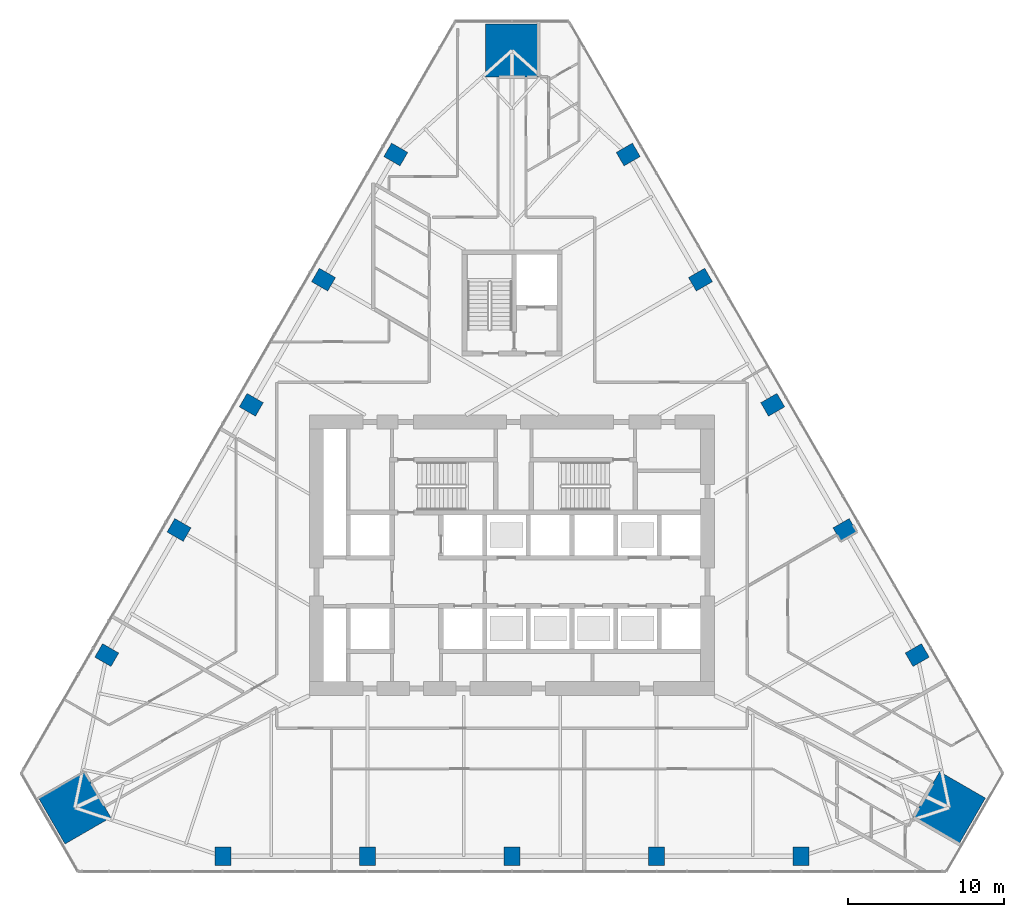
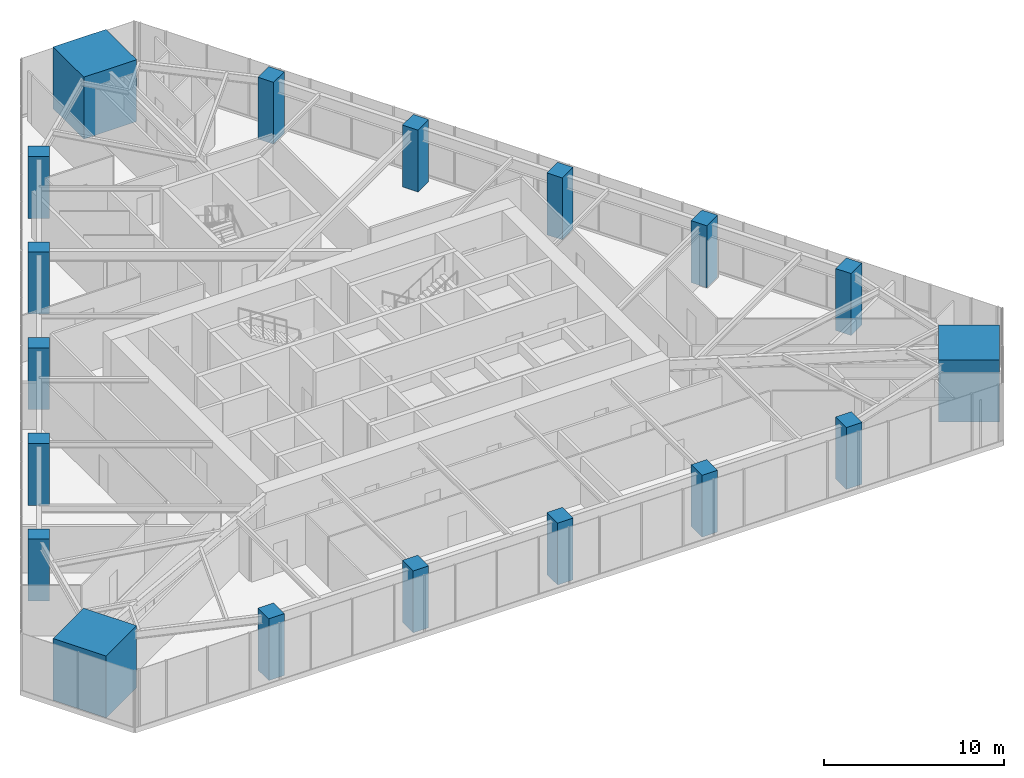
# One storey, part 1 of 22: 18 columns.
"""IFC4 building model written with IfcOpenShell, lengths in metres."""

from ifc_helpers import new_model, si_unit, direction, frame, origin, origin_2d, place, context, subcontext, project, spatial, rectangle, extrude, material, material_profile, profile_set, type_object, element, save


model = new_model("IFC4")

# Units and contexts
model_context = context("Model", 3, precision=1e-05, world=origin(), true_north=direction((0.0, 1.0)))
body_context = subcontext(model_context, "Body", "Model", "MODEL_VIEW")
ifc_project = project(units=[si_unit("LENGTHUNIT", "METRE"), si_unit("AREAUNIT", "SQUARE_METRE"), si_unit("VOLUMEUNIT", "CUBIC_METRE"), si_unit("PLANEANGLEUNIT", "RADIAN"), si_unit("MASSUNIT", "GRAM", prefix="KILO")], contexts=[model_context])

# Site, building, storey
site_placement = place(None, origin())
site = spatial("IfcSite", under=ifc_project, at=site_placement, CompositionType="ELEMENT")
building_placement = place(site_placement, origin())
building = spatial("IfcBuilding", under=site, at=building_placement, Name="Firuza Gate Tower and Library", CompositionType="ELEMENT")
storey_placement = place(building_placement, frame((0.0, 0.0, 128.199951171875)))
storey = spatial("IfcBuildingStorey", under=building, at=storey_placement, Name="L29", CompositionType="ELEMENT", Elevation=128.199951171875)

# Columns
ifc_material_1 = material(Name="Concrete C80/95", Category="concrete")
ifc_material_profile_1 = material_profile(ifc_material_1, rectangle(XDim=3.39990234375, YDim=3.39990234375, at=origin_2d()))
ifc_profile_set_1 = profile_set([ifc_material_profile_1], Name="Concrete C80/95")
column_type_1 = type_object("IfcColumnType", Name="Mega column 3400x3400 C80/95", PredefinedType="COLUMN", material=ifc_profile_set_1)
for number, where, z_axis, x_axis, name in (
    (1, (103.05810546875, 58.80078125, 0.0), (0.0, 0.0, 1.0), (0.5, 0.866025403784, 0.0), "Mega column SE L29"),
    (2, (75.0, 107.398681640625, 0.0), (0.0, 0.0, 1.0), (-1.0, 0.0, 0.0), "Mega column N L29"),
    (3, (46.94189453125, 58.80078125, 0.0), (0.0, 0.0, 1.0), (0.5, -0.866025403784, 0.0), "Mega column SW L29"),
):
    element("IfcColumn", number, at=place(storey_placement, frame(where, z_axis=z_axis, x_axis=x_axis)), inside=storey, type_object=column_type_1, Name=name, PredefinedType="COLUMN", context=body_context, shape_type="SweptSolid", body=[
        extrude(rectangle(XDim=3.39990234375, YDim=3.39990234375, at=origin_2d()), origin(), (0.0, 0.0, 1.0), 4.199951171875),
    ])
ifc_material_2 = material(Name="Concrete C60/75", Category="concrete")
ifc_material_profile_2 = material_profile(ifc_material_2, rectangle(XDim=1.0, YDim=1.199951171875, at=origin_2d()))
ifc_profile_set_2 = profile_set([ifc_material_profile_2], Name="Concrete C60/75")
column_type_2 = type_object("IfcColumnType", Name="Perimeter column 1000x1200 C60/75", PredefinedType="COLUMN", material=ifc_profile_set_2)
for number, where, z_axis, x_axis, name in (
    (4, (56.455322265625, 55.68310546875, -0.000244140625), (0.0, 0.0, 1.0), (1.0, 0.0, 0.0), "Column S1 L29"),
    (5, (65.727783203125, 55.68310546875, -0.000244140625), (0.0, 0.0, 1.0), (1.0, 0.0, 0.0), "Column S2 L29"),
    (6, (75.0, 55.68310546875, -0.000244140625), (0.0, 0.0, 1.0), (1.0, 0.0, 0.0), "Column S3 L29"),
    (7, (84.272216796875, 55.68310546875, -0.000244140625), (0.0, 0.0, 1.0), (1.0, 0.0, 0.0), "Column S4 L29"),
    (8, (93.544677734375, 55.68310546875, -0.000244140625), (0.0, 0.0, 1.0), (1.0, 0.0, 0.0), "Column S5 L29"),
    (9, (101.001220703125, 68.598388671875, -0.000244140625), (0.0, 0.0, 1.0), (-0.5, 0.866025403784, 0.0), "Column E1 L29"),
    (10, (96.365234375, 76.62841796875, -0.000244140625), (0.0, 0.0, 1.0), (-0.5, 0.866025403784, 0.0), "Column E2 L29"),
    (11, (91.72900390625, 84.658447265625, -0.000244140625), (0.0, 0.0, 1.0), (-0.5, 0.866025403784, 0.0), "Column E3 L29"),
    (12, (87.0927734375, 92.6884765625, -0.000244140625), (0.0, 0.0, 1.0), (-0.5, 0.866025403784, 0.0), "Column E4 L29"),
    (13, (82.456787109375, 100.718505859375, -0.000244140625), (0.0, 0.0, 1.0), (-0.5, 0.866025403784, 0.0), "Column E5 L29"),
    (14, (67.543212890625, 100.718505859375, -0.000244140625), (0.0, 0.0, 1.0), (-0.5, -0.866025403784, 0.0), "Column W1 L29"),
    (15, (62.9072265625, 92.6884765625, -0.000244140625), (0.0, 0.0, 1.0), (-0.5, -0.866025403784, 0.0), "Column W2 L29"),
    (16, (58.27099609375, 84.658447265625, -0.000244140625), (0.0, 0.0, 1.0), (-0.5, -0.866025403784, 0.0), "Column W3 L29"),
    (17, (53.634765625, 76.62841796875, -0.000244140625), (0.0, 0.0, 1.0), (-0.5, -0.866025403784, 0.0), "Column W4 L29"),
    (18, (48.998779296875, 68.598388671875, -0.000244140625), (0.0, 0.0, 1.0), (-0.5, -0.866025403784, 0.0), "Column W5 L29"),
):
    element("IfcColumn", number, at=place(storey_placement, frame(where, z_axis=z_axis, x_axis=x_axis)), inside=storey, type_object=column_type_2, Name=name, PredefinedType="COLUMN", context=body_context, shape_type="SweptSolid", body=[
        extrude(rectangle(XDim=1.0, YDim=1.199951171875, at=origin_2d()), origin(), (0.0, 0.0, 1.0), 4.2001953125),
    ])

save(model, "model.ifc")
